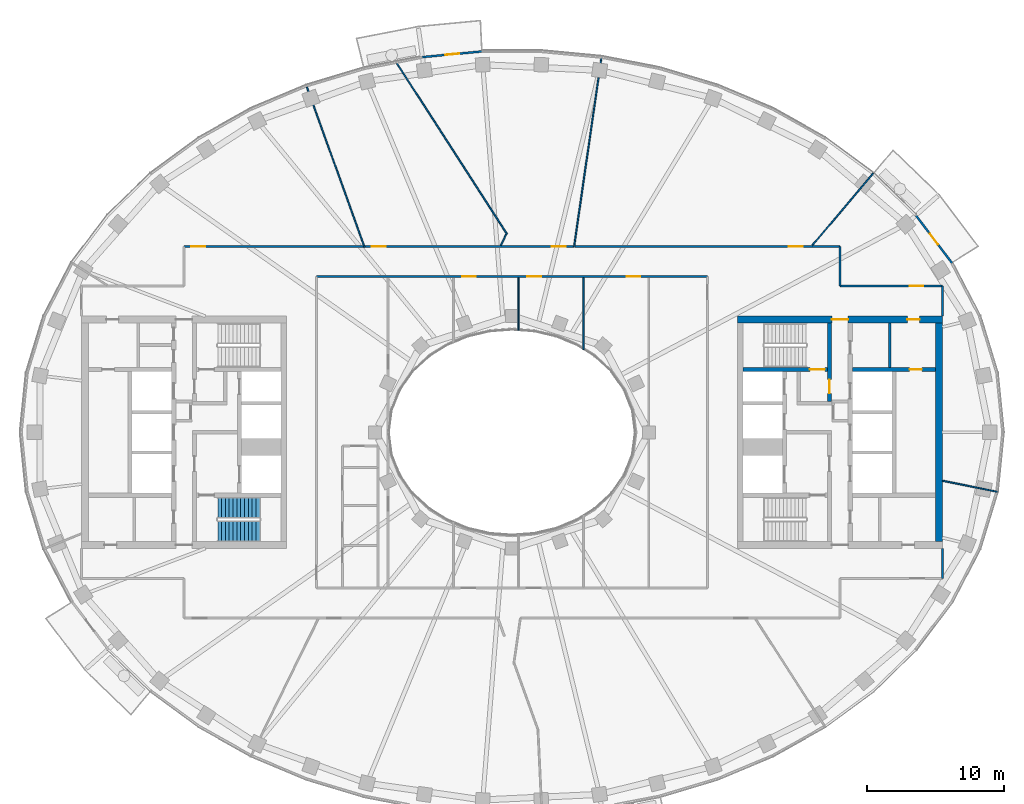
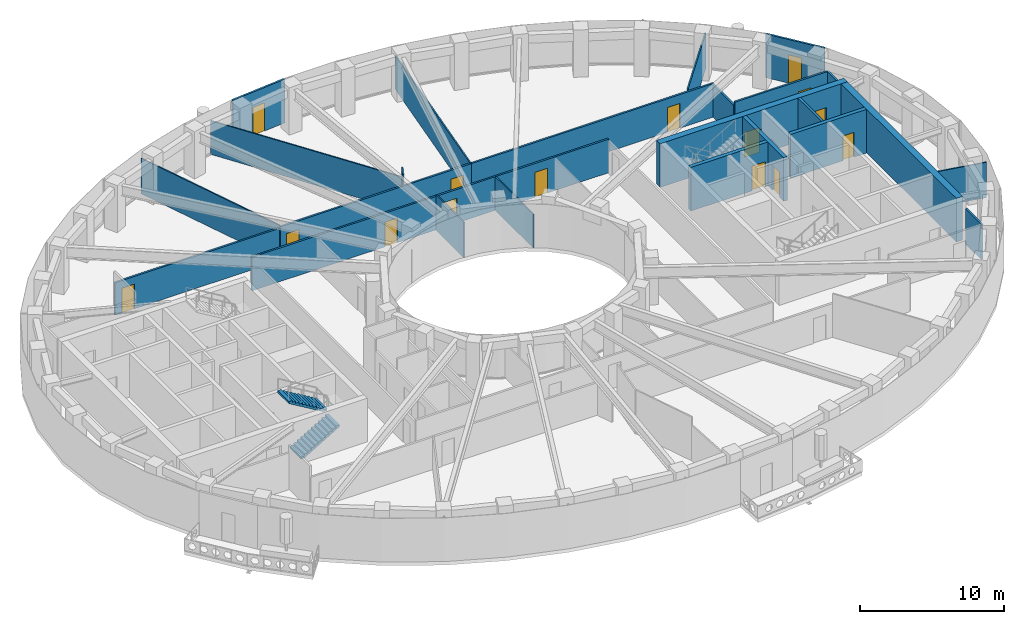
# One storey, part 6 of 16: 24 walls, 15 doors, 2 stair flights, 15 openings, 1 element without a shape of its own.
"""IFC4 building model written with IfcOpenShell, lengths in metres."""

import ifcopenshell
import ifcopenshell.guid

model = None  # the IFC model being written
_history = None  # IfcOwnerHistory: only IFC2X3 demands one
_inside = {}  # id of a spatial element -> (the spatial element, [elements in it])
_under = {}  # id of a project, library or spatial element -> (it, [spatial elements below it])
_declared = {}  # id of a project -> (the project, [libraries it declares])
_typed = {}  # id of a type object -> (the type object, [elements of that type])
_made_of = {}  # id of a material, layer set ... -> (it, [elements and type objects made of it])


def new_model(schema):
    """Start an empty IFC model of exactly this schema.

    Asked for "IFC4X3", IfcOpenShell would pick the latest addendum, in which some entities
    have other attributes; the version numbers below select the first issue.
    IFC2X3 requires an IfcOwnerHistory on every rooted entity: one is made here for all.
    """
    global model, _history
    if schema == "IFC4X3":
        model = ifcopenshell.file(schema_version=(4, 3, 0, 0))
    else:
        model = ifcopenshell.file(schema=schema)
    _inside.clear()
    _under.clear()
    _declared.clear()
    _typed.clear()
    _made_of.clear()
    _history = None
    if model.schema == "IFC2X3":
        org = make("IfcOrganization", Name="unknown")
        user = make(
            "IfcPersonAndOrganization",
            ThePerson=make("IfcPerson", FamilyName="unknown"),
            TheOrganization=org,
        )
        app = make(
            "IfcApplication",
            ApplicationDeveloper=org,
            Version="unknown",
            ApplicationFullName="unknown",
            ApplicationIdentifier="unknown",
        )
        _history = make(
            "IfcOwnerHistory",
            OwningUser=user,
            OwningApplication=app,
            ChangeAction="ADDED",
            CreationDate=0,
        )
    return model


def make(cls, **values):
    """One entity of the class cls with the attributes given. An attribute that is None is left unset."""
    return model.create_entity(
        cls, **{name: value for name, value in values.items() if value is not None}
    )


def rooted(cls, **values):
    """An entity with a GlobalId (a new one), such as an element, a storey or a relation."""
    return make(cls, GlobalId=ifcopenshell.guid.new(), OwnerHistory=_history, **values)


def si_unit(unit_type, name, prefix=None):
    """IfcSIUnit, for example si_unit("LENGTHUNIT", "METRE", prefix="MILLI")."""
    return make("IfcSIUnit", UnitType=unit_type, Prefix=prefix, Name=name)


def assignment(units):
    """IfcUnitAssignment: the units of a project."""
    return None if units is None else make("IfcUnitAssignment", Units=units)


def point(xyz):
    """IfcCartesianPoint."""
    return None if xyz is None else make("IfcCartesianPoint", Coordinates=xyz)


def direction(xyz):
    """IfcDirection."""
    return None if xyz is None else make("IfcDirection", DirectionRatios=xyz)


def frame(location, z_axis=None, x_axis=None):
    """IfcAxis2Placement3D, a coordinate frame: its origin and axes. An axis left out is left unset."""
    return make(
        "IfcAxis2Placement3D",
        Location=point(location),
        Axis=direction(z_axis),
        RefDirection=direction(x_axis),
    )


def frame_2d(location, x_axis=None):
    """IfcAxis2Placement2D, a coordinate frame in the plane: its origin and x axis."""
    return make(
        "IfcAxis2Placement2D", Location=point(location), RefDirection=direction(x_axis)
    )


def origin():
    """The frame at (0, 0, 0) with its axes left unset."""
    return frame((0.0, 0.0, 0.0))


def place(relative_to, where):
    """IfcLocalPlacement: puts the frame where relative to a parent placement (None: the world)."""
    return make(
        "IfcLocalPlacement", PlacementRelTo=relative_to, RelativePlacement=where
    )


def context(
    kind, dimensions, precision=None, world=None, true_north=None, identifier=None
):
    """IfcGeometricRepresentationContext, for example the 3D "Model" context."""
    return make(
        "IfcGeometricRepresentationContext",
        ContextIdentifier=identifier,
        ContextType=kind,
        CoordinateSpaceDimension=dimensions,
        Precision=precision,
        WorldCoordinateSystem=world,
        TrueNorth=true_north,
    )


def subcontext(parent, identifier, kind, view, scale=None):
    """IfcGeometricRepresentationSubContext, for example "Body" below "Model"."""
    return make(
        "IfcGeometricRepresentationSubContext",
        ContextIdentifier=identifier,
        ContextType=kind,
        ParentContext=parent,
        TargetScale=scale,
        TargetView=view,
    )


def project(units=None, contexts=None):
    """IfcProject with its units and contexts."""
    return rooted(
        "IfcProject",
        Name="project",
        RepresentationContexts=contexts,
        UnitsInContext=assignment(units),
    )


def spatial(cls, under=None, at=None, **own):
    """A site, building, storey or space (cls), placed at a placement, below another one or the project."""
    s = rooted(cls, ObjectPlacement=at, **own)
    if under is not None:
        _under.setdefault(under.id(), (under, []))[1].append(s)
    return s


def polyline(points):
    """IfcPolyline through the points."""
    return make("IfcPolyline", Points=[point(p) for p in points])


def profile(cls, at=None, kind="AREA", **sizes):
    """A parametric profile (cls). Its sizes go by their IFC names, for example OverallWidth=200.0."""
    return make(cls, ProfileType=kind, Position=at, **sizes)


def rectangle(**sizes):
    """IfcRectangleProfileDef."""
    return profile("IfcRectangleProfileDef", **sizes)


def outline(outer, holes=None, kind="AREA"):
    """IfcArbitraryClosedProfileDef: a profile drawn as a closed curve; with holes, ...WithVoids."""
    if holes is None:
        return make("IfcArbitraryClosedProfileDef", ProfileType=kind, OuterCurve=outer)
    return make(
        "IfcArbitraryProfileDefWithVoids",
        ProfileType=kind,
        OuterCurve=outer,
        InnerCurves=holes,
    )


def extrude(swept, where, along, depth):
    """IfcExtrudedAreaSolid: the profile swept, set in the frame where, extruded along a direction by depth."""
    return make(
        "IfcExtrudedAreaSolid",
        SweptArea=swept,
        Position=where,
        ExtrudedDirection=direction(along),
        Depth=depth,
    )


def shape(context_of_items, identifier, shape_type, items):
    """IfcShapeRepresentation: the items that make up one representation, for example the "Body"."""
    return make(
        "IfcShapeRepresentation",
        ContextOfItems=context_of_items,
        RepresentationIdentifier=identifier,
        RepresentationType=shape_type,
        Items=items,
    )


def material(Name=None, Category=None):
    """IfcMaterial."""
    return make("IfcMaterial", Name=Name, Category=Category)


def layer(
    of_material, thickness, ventilated=None, Name=None, Category=None, Priority=None
):
    """IfcMaterialLayer: one layer of a wall or slab, of a material (None: an air gap)."""
    return make(
        "IfcMaterialLayer",
        Material=of_material,
        LayerThickness=thickness,
        IsVentilated=ventilated,
        Name=Name,
        Category=Category,
        Priority=Priority,
    )


def layer_set(layers, Name=None):
    """IfcMaterialLayerSet."""
    return make("IfcMaterialLayerSet", MaterialLayers=layers, LayerSetName=Name)


def made_of(thing, what):
    """Note that an element or type object is made of a material, layer set ...; save() writes the relation."""
    if what is not None:
        _made_of.setdefault(what.id(), (what, []))[1].append(thing)
    return thing


def type_object(cls, material=None, **own):
    """A type object (cls), such as IfcWallType, which elements share."""
    return made_of(rooted(cls, **own), material)


def element(
    cls,
    number,
    at=None,
    inside=None,
    cuts=None,
    type_object=None,
    material=None,
    context=None,
    identifier="Body",
    shape_type=None,
    held_by="IfcProductDefinitionShape",
    body=None,
    shapes=None,
    **own,
):
    """One element of the class cls, such as IfcWall. Its Tag is "e" and its number.

    at: its placement. inside: the storey or other place that contains it. cuts: it is an
    opening in that element (IfcRelVoidsElement). A single representation is given by context,
    identifier, shape_type and body (its items); several are given by shapes. held_by: the class
    of the entity that holds the representations. save() writes the other relations.
    """
    e = rooted(cls, Tag="e%d" % number, ObjectPlacement=at, **own)
    if body is not None:
        shapes = [shape(context, identifier, shape_type, body)]
    if shapes is not None:
        e.Representation = make(held_by, Representations=shapes)
    if inside is not None:
        _inside.setdefault(inside.id(), (inside, []))[1].append(e)
    if cuts is not None:
        rooted(
            "IfcRelVoidsElement", RelatingBuildingElement=cuts, RelatedOpeningElement=e
        )
    if type_object is not None:
        _typed.setdefault(type_object.id(), (type_object, []))[1].append(e)
    return made_of(e, material)


def fill(opening, filler):
    """IfcRelFillsElement: the door or window that sits in an opening."""
    return rooted(
        "IfcRelFillsElement",
        RelatingOpeningElement=opening,
        RelatedBuildingElement=filler,
    )


def aggregate(whole, parts):
    """IfcRelAggregates: a whole, such as a stair, and the parts it consists of."""
    return rooted("IfcRelAggregates", RelatingObject=whole, RelatedObjects=parts)


def save(model, path):
    """Write the relations noted so far, then the file.

    IfcRelAggregates (storeys below a building ...), IfcRelContainedInSpatialStructure (elements
    in a storey), IfcRelDefinesByType, IfcRelAssociatesMaterial and IfcRelDeclares: one each for
    every whole, place, type object, material and project.
    """
    for whole, parts in _under.values():
        aggregate(whole, parts)
    for where, things in _inside.values():
        rooted(
            "IfcRelContainedInSpatialStructure",
            RelatedElements=things,
            RelatingStructure=where,
        )
    for kind, things in _typed.values():
        rooted("IfcRelDefinesByType", RelatedObjects=things, RelatingType=kind)
    for what, things in _made_of.values():
        rooted("IfcRelAssociatesMaterial", RelatedObjects=things, RelatingMaterial=what)
    for by, libraries in _declared.values():
        rooted("IfcRelDeclares", RelatingContext=by, RelatedDefinitions=libraries)
    model.write(path)


model = new_model("IFC4")

# Units and contexts
model_context = context("Model", 3, precision=1e-05, world=origin(), true_north=direction((0.0, 1.0)))
body_context = subcontext(model_context, "Body", "Model", "MODEL_VIEW")
ifc_project = project(units=[si_unit("LENGTHUNIT", "METRE"), si_unit("AREAUNIT", "SQUARE_METRE"), si_unit("VOLUMEUNIT", "CUBIC_METRE"), si_unit("PLANEANGLEUNIT", "RADIAN"), si_unit("MASSUNIT", "GRAM", prefix="KILO")], contexts=[model_context])

# Site, building, storey
site_placement = place(None, origin())
site = spatial("IfcSite", under=ifc_project, at=site_placement, CompositionType="ELEMENT")
building_placement = place(site_placement, origin())
building = spatial("IfcBuilding", under=site, at=building_placement, Name="Noorbagh Ring Tower", CompositionType="ELEMENT")
storey_placement = place(building_placement, frame((0.0, 0.0, 281.5)))
storey = spatial("IfcBuildingStorey", under=building, at=storey_placement, Name="L60", CompositionType="ELEMENT", Elevation=281.5)

# Wall
ifc_material_1 = material(Name="Gypsum board on steel studs", Category="steel")
ifc_layer_1 = layer(ifc_material_1, 0.199951171875)
ifc_layer_set_1 = layer_set([ifc_layer_1], Name="Gypsum board on steel studs")
wall_type_1 = type_object("IfcWallType", Name="CORE-PARTITION-200", PredefinedType="PARTITIONING", material=ifc_layer_set_1)
wall_1_placement = place(storey_placement, frame((27.64990234375, 4.75, 0.0), z_axis=(0.0, 0.0, 1.0), x_axis=(0.0, 1.0, 0.0)))
element("IfcWall", 1, at=wall_1_placement, inside=storey, type_object=wall_type_1, Name="Core partition E", PredefinedType="PARTITIONING", context=body_context, shape_type="SweptSolid", body=[
    extrude(rectangle(XDim=3.25, YDim=0.199951171875, at=frame_2d((1.625, 0.0))), origin(), (0.0, 0.0, 1.0), 3.699951171875),
])

# Wall, opening, door
ifc_material_2 = material(Name="Concrete C60/75", Category="concrete")
ifc_layer_2 = layer(ifc_material_2, 0.300048828125)
ifc_layer_set_2 = layer_set([ifc_layer_2], Name="Concrete C60/75")
wall_type_2 = type_object("IfcWallType", Name="CORE-WALL-300-C60-75-EI240", PredefinedType="SHEAR", material=ifc_layer_set_2)
wall_2_placement = place(storey_placement, frame((24.89990234375, 4.60009765625, 0.0), z_axis=(0.0, 0.0, 1.0), x_axis=(1.0, 0.0, 0.0)))
wall_2 = element("IfcWall", 2, at=wall_2_placement, inside=storey, type_object=wall_type_2, Name="Core wall E", PredefinedType="SHEAR", context=body_context, shape_type="SweptSolid", body=[
    extrude(rectangle(XDim=6.10009765625, YDim=0.300048828125, at=frame_2d((3.050048828125, 0.0))), origin(), (0.0, 0.0, 1.0), 3.699951171875),
])
opening_1_placement = place(wall_2_placement, frame((4.199951171875, 0.0, 0.0)))
opening_1 = element("IfcOpeningElement", 3, at=opening_1_placement, cuts=wall_2, Name="Opening L60-CE18", PredefinedType="OPENING", context=body_context, shape_type="SweptSolid", body=[
    extrude(rectangle(XDim=0.89990234375, YDim=2.10009765625, at=frame_2d((0.449951171875, 1.050048828125))), frame((0.0, 0.16015625, 0.0), z_axis=(0.0, -1.0, 0.0), x_axis=(1.0, 0.0, 0.0)), (0.0, 0.0, 1.0), 0.320068359375),
])
ifc_material_3 = material(Name="Steel door leaf", Category="steel")
door_type_1 = type_object("IfcDoorType", Name="CORE-DOOR-DROOM", OperationType="SINGLE_SWING_LEFT", PredefinedType="DOOR", material=ifc_material_3)
door_1_placement = place(opening_1_placement, origin())
door_1 = element("IfcDoor", 4, at=door_1_placement, inside=storey, type_object=door_type_1, Name="Core room door L60-CE18", OperationType="SINGLE_SWING_RIGHT", OverallHeight=2.10009765625, OverallWidth=0.89990234375, PredefinedType="DOOR", context=body_context, shape_type="SweptSolid", body=[
    extrude(rectangle(XDim=0.89990234375, YDim=2.10009765625, at=frame_2d((0.449951171875, 1.050048828125))), frame((0.0, 0.02490234375, 0.0), z_axis=(0.0, -1.0, 0.0), x_axis=(1.0, 0.0, 0.0)), (0.0, 0.0, 1.0), 0.050048828125),
])
fill(opening_1, door_1)

wall_3_placement = place(storey_placement, frame((23.22998046875, 2.25, 0.0), z_axis=(0.0, 0.0, 1.0), x_axis=(0.0, 1.0, 0.0)))
wall_3 = element("IfcWall", 5, at=wall_3_placement, inside=storey, type_object=wall_type_2, Name="Core wall E", PredefinedType="SHEAR", context=body_context, shape_type="SweptSolid", body=[
    extrude(rectangle(XDim=5.75, YDim=0.300048828125, at=frame_2d((2.875, 0.0))), origin(), (0.0, 0.0, 1.0), 3.699951171875),
])
opening_2_placement = place(wall_3_placement, frame((0.60009765625, 0.0, 0.0)))
opening_2 = element("IfcOpeningElement", 6, at=opening_2_placement, cuts=wall_3, Name="Opening L60-CE10", PredefinedType="OPENING", context=body_context, shape_type="SweptSolid", body=[
    extrude(rectangle(XDim=1.0, YDim=2.10009765625, at=frame_2d((0.5, 1.050048828125))), frame((0.0, 0.16015625, 0.0), z_axis=(0.0, -1.0, 0.0), x_axis=(1.0, 0.0, 0.0)), (0.0, 0.0, 1.0), 0.320068359375),
])
ifc_material_4 = material(Name="Steel door leaf", Category="steel")
door_type_2 = type_object("IfcDoorType", Name="CORE-DOOR-DVEST", OperationType="SINGLE_SWING_LEFT", PredefinedType="DOOR", material=ifc_material_4)
door_2_placement = place(opening_2_placement, origin())
door_2 = element("IfcDoor", 7, at=door_2_placement, inside=storey, type_object=door_type_2, Name="Stair vestibule door L60-CE10", OperationType="SINGLE_SWING_RIGHT", OverallHeight=2.10009765625, OverallWidth=1.0, PredefinedType="DOOR", context=body_context, shape_type="SweptSolid", body=[
    extrude(rectangle(XDim=1.0, YDim=2.10009765625, at=frame_2d((0.5, 1.050048828125))), frame((0.0, 0.02490234375, 0.0), z_axis=(0.0, -1.0, 0.0), x_axis=(1.0, 0.0, 0.0)), (0.0, 0.0, 1.0), 0.050048828125),
])
fill(opening_2, door_2)

wall_4_placement = place(storey_placement, frame((16.89990234375, 4.60009765625, 0.0), z_axis=(0.0, 0.0, 1.0), x_axis=(1.0, 0.0, 0.0)))
wall_4 = element("IfcWall", 8, at=wall_4_placement, inside=storey, type_object=wall_type_2, Name="Core wall E", PredefinedType="SHEAR", context=body_context, shape_type="SweptSolid", body=[
    extrude(rectangle(XDim=6.18017578125, YDim=0.300048828125, at=frame_2d((3.090087890625, 0.0))), origin(), (0.0, 0.0, 1.0), 3.699951171875),
])
opening_3_placement = place(wall_4_placement, frame((4.89990234375, 0.0, 0.0)))
opening_3 = element("IfcOpeningElement", 9, at=opening_3_placement, cuts=wall_4, Name="Opening L60-CE07", PredefinedType="OPENING", context=body_context, shape_type="SweptSolid", body=[
    extrude(rectangle(XDim=1.10009765625, YDim=2.10009765625, at=frame_2d((0.550048828125, 1.050048828125))), frame((0.0, 0.16015625, 0.0), z_axis=(0.0, -1.0, 0.0), x_axis=(1.0, 0.0, 0.0)), (0.0, 0.0, 1.0), 0.320068359375),
])
ifc_material_5 = material(Name="Steel door leaf", Category="steel")
door_type_3 = type_object("IfcDoorType", Name="CORE-DOOR-DSTAIR", OperationType="SINGLE_SWING_LEFT", PredefinedType="DOOR", material=ifc_material_5)
door_3_placement = place(opening_3_placement, origin())
door_3 = element("IfcDoor", 10, at=door_3_placement, inside=storey, type_object=door_type_3, Name="Stair door ST3 L60-CE07", OperationType="SINGLE_SWING_LEFT", OverallHeight=2.10009765625, OverallWidth=1.10009765625, PredefinedType="DOOR", context=body_context, shape_type="SweptSolid", body=[
    extrude(rectangle(XDim=1.10009765625, YDim=2.10009765625, at=frame_2d((0.550048828125, 1.050048828125))), frame((0.0, 0.02490234375, 0.0), z_axis=(0.0, -1.0, 0.0), x_axis=(1.0, 0.0, 0.0)), (0.0, 0.0, 1.0), 0.050048828125),
])
fill(opening_3, door_3)

# Wall, openings, doors
ifc_material_6 = material(Name="Concrete C60/75", Category="concrete")
ifc_layer_3 = layer(ifc_material_6, 0.5)
ifc_layer_set_3 = layer_set([ifc_layer_3], Name="Concrete C60/75")
wall_type_3 = type_object("IfcWallType", Name="CORE-WALL-500-C60-75-EI240", PredefinedType="SHEAR", material=ifc_layer_set_3)
wall_5_placement = place(storey_placement, frame((16.5, 8.25, 0.0), z_axis=(0.0, 0.0, 1.0), x_axis=(1.0, 0.0, 0.0)))
wall_5 = element("IfcWall", 11, at=wall_5_placement, inside=storey, type_object=wall_type_3, Name="Core wall E", PredefinedType="SHEAR", context=body_context, shape_type="SweptSolid", body=[
    extrude(rectangle(XDim=15.0, YDim=0.5, at=frame_2d((7.5, 0.0))), origin(), (0.0, 0.0, 1.0), 3.699951171875),
])
opening_4_placement = place(wall_5_placement, frame((6.89990234375, 0.0, 0.0)))
opening_4 = element("IfcOpeningElement", 12, at=opening_4_placement, cuts=wall_5, Name="Opening L60-CE11", PredefinedType="OPENING", context=body_context, shape_type="SweptSolid", body=[
    extrude(rectangle(XDim=1.199951171875, YDim=2.10009765625, at=frame_2d((0.60009765625, 1.050048828125))), frame((0.0, 0.260009765625, 0.0), z_axis=(0.0, -1.0, 0.0), x_axis=(1.0, 0.0, 0.0)), (0.0, 0.0, 1.0), 0.52001953125),
])
opening_5_placement = place(wall_5_placement, frame((12.425048828125, 0.0, 0.0)))
opening_5 = element("IfcOpeningElement", 13, at=opening_5_placement, cuts=wall_5, Name="Opening L60-CE14", PredefinedType="OPENING", context=body_context, shape_type="SweptSolid", body=[
    extrude(rectangle(XDim=0.89990234375, YDim=2.10009765625, at=frame_2d((0.449951171875, 1.050048828125))), frame((0.0, 0.260009765625, 0.0), z_axis=(0.0, -1.0, 0.0), x_axis=(1.0, 0.0, 0.0)), (0.0, 0.0, 1.0), 0.52001953125),
])
door_4_placement = place(opening_5_placement, origin())
door_4 = element("IfcDoor", 14, at=door_4_placement, inside=storey, type_object=door_type_1, Name="Core room door L60-CE14", OperationType="SINGLE_SWING_LEFT", OverallHeight=2.10009765625, OverallWidth=0.89990234375, PredefinedType="DOOR", context=body_context, shape_type="SweptSolid", body=[
    extrude(rectangle(XDim=0.89990234375, YDim=2.10009765625, at=frame_2d((0.449951171875, 1.050048828125))), frame((0.0, 0.02490234375, 0.0), z_axis=(0.0, -1.0, 0.0), x_axis=(1.0, 0.0, 0.0)), (0.0, 0.0, 1.0), 0.050048828125),
])
fill(opening_5, door_4)
ifc_material_7 = material(Name="Steel door leaf", Category="steel")
door_type_4 = type_object("IfcDoorType", Name="CORE-DOOR-PORT", OperationType="DOUBLE_DOOR_DOUBLE_SWING", PredefinedType="DOOR", material=ifc_material_7)
door_5_placement = place(opening_4_placement, origin())
door_5 = element("IfcDoor", 15, at=door_5_placement, inside=storey, type_object=door_type_4, Name="Core entrance door L60-CE11", OperationType="DOUBLE_DOOR_DOUBLE_SWING", OverallHeight=2.10009765625, OverallWidth=1.199951171875, PredefinedType="DOOR", context=body_context, shape_type="SweptSolid", body=[
    extrude(rectangle(XDim=1.199951171875, YDim=2.10009765625, at=frame_2d((0.60009765625, 1.050048828125))), frame((0.0, 0.02490234375, 0.0), z_axis=(0.0, -1.0, 0.0), x_axis=(1.0, 0.0, 0.0)), (0.0, 0.0, 1.0), 0.050048828125),
])
fill(opening_4, door_5)

# Wall
wall_6_placement = place(storey_placement, frame((31.25, -8.0, 0.0), z_axis=(0.0, 0.0, 1.0), x_axis=(0.0, 1.0, 0.0)))
element("IfcWall", 16, at=wall_6_placement, inside=storey, type_object=wall_type_3, Name="Core wall E", PredefinedType="SHEAR", context=body_context, shape_type="SweptSolid", body=[
    extrude(rectangle(XDim=16.0, YDim=0.5, at=frame_2d((8.0, 0.0))), origin(), (0.0, 0.0, 1.0), 3.699951171875),
])

# Wall, opening, door
ifc_material_8 = material(Name="Gypsum board on steel studs", Category="steel")
ifc_layer_4 = layer(ifc_material_8, 0.14990234375)
ifc_layer_set_4 = layer_set([ifc_layer_4], Name="Gypsum board on steel studs")
wall_type_4 = type_object("IfcWallType", Name="CORRIDOR PARTITION 150 EI 30", PredefinedType="PARTITIONING", material=ifc_layer_set_4)
wall_7_placement = place(storey_placement, frame((-24.0, 13.60009765625, 0.0), z_axis=(0.0, 0.0, 1.0), x_axis=(1.0, 0.0, 0.0)))
wall_7 = element("IfcWall", 17, at=wall_7_placement, inside=storey, type_object=wall_type_4, Name="L60/wall/P10", PredefinedType="PARTITIONING", context=body_context, shape_type="SweptSolid", body=[
    extrude(rectangle(XDim=13.177001953125, YDim=0.14990234375, at=frame_2d((6.58837890625, 0.0))), origin(), (0.0, 0.0, 1.0), 2.75),
])
opening_6_placement = place(wall_7_placement, frame((0.5390625, 0.0, 0.0)))
opening_6 = element("IfcOpeningElement", 18, at=opening_6_placement, cuts=wall_7, Name="Opening D1", PredefinedType="OPENING", context=body_context, shape_type="SweptSolid", body=[
    extrude(rectangle(XDim=1.0, YDim=2.10009765625, at=frame_2d((0.5, 1.050048828125))), frame((0.0, 0.0849609375, 0.0), z_axis=(0.0, -1.0, 0.0), x_axis=(1.0, 0.0, 0.0)), (0.0, 0.0, 1.0), 0.169921875),
])
ifc_material_9 = material(Name="Timber, painted", Category="wood")
door_type_5 = type_object("IfcDoorType", Name="DOOR 1000 X 2100 FD30", OperationType="SINGLE_SWING_LEFT", PredefinedType="DOOR", material=ifc_material_9)
door_6_placement = place(opening_6_placement, origin())
door_6 = element("IfcDoor", 19, at=door_6_placement, inside=storey, type_object=door_type_5, Name="L60-D08", OperationType="SINGLE_SWING_RIGHT", OverallHeight=2.10009765625, OverallWidth=1.0, PredefinedType="DOOR", context=body_context, shape_type="SweptSolid", body=[
    extrude(rectangle(XDim=1.0, YDim=2.10009765625, at=frame_2d((0.5, 1.050048828125))), frame((0.0, 0.02490234375, 0.0), z_axis=(0.0, -1.0, 0.0), x_axis=(1.0, 0.0, 0.0)), (0.0, 0.0, 1.0), 0.050048828125),
])
fill(opening_6, door_6)

# Wall, openings, doors
wall_8_placement = place(storey_placement, frame((-14.300048828125, 11.39990234375, 0.0), z_axis=(0.0, 0.0, 1.0), x_axis=(1.0, 0.0, 0.0)))
wall_8 = element("IfcWall", 20, at=wall_8_placement, inside=storey, type_object=wall_type_4, Name="L60/wall/P15", PredefinedType="PARTITIONING", context=body_context, shape_type="SweptSolid", body=[
    extrude(rectangle(XDim=28.60009765625, YDim=0.14990234375, at=frame_2d((14.300048828125, 0.0))), origin(), (0.0, 0.0, 1.0), 2.85009765625),
])
opening_7_placement = place(wall_8_placement, frame((10.659912109375, 0.0, 0.0)))
opening_7 = element("IfcOpeningElement", 21, at=opening_7_placement, cuts=wall_8, Name="Opening D1", PredefinedType="OPENING", context=body_context, shape_type="SweptSolid", body=[
    extrude(rectangle(XDim=1.0, YDim=2.10009765625, at=frame_2d((0.5, 1.050048828125))), frame((0.0, 0.0849609375, 0.0), z_axis=(0.0, -1.0, 0.0), x_axis=(1.0, 0.0, 0.0)), (0.0, 0.0, 1.0), 0.169921875),
])
opening_8_placement = place(wall_8_placement, frame((15.427001953125, 0.0, 0.0)))
opening_8 = element("IfcOpeningElement", 22, at=opening_8_placement, cuts=wall_8, Name="Opening D1", PredefinedType="OPENING", context=body_context, shape_type="SweptSolid", body=[
    extrude(rectangle(XDim=1.0, YDim=2.10009765625, at=frame_2d((0.5, 1.050048828125))), frame((0.0, 0.0849609375, 0.0), z_axis=(0.0, -1.0, 0.0), x_axis=(1.0, 0.0, 0.0)), (0.0, 0.0, 1.0), 0.169921875),
])
opening_9_placement = place(wall_8_placement, frame((22.693115234375, 0.0, 0.0)))
opening_9 = element("IfcOpeningElement", 23, at=opening_9_placement, cuts=wall_8, Name="Opening D1", PredefinedType="OPENING", context=body_context, shape_type="SweptSolid", body=[
    extrude(rectangle(XDim=1.0, YDim=2.10009765625, at=frame_2d((0.5, 1.050048828125))), frame((0.0, 0.0849609375, 0.0), z_axis=(0.0, -1.0, 0.0), x_axis=(1.0, 0.0, 0.0)), (0.0, 0.0, 1.0), 0.169921875),
])
door_7_placement = place(opening_7_placement, origin())
door_7 = element("IfcDoor", 24, at=door_7_placement, inside=storey, type_object=door_type_5, Name="L60-D19", OperationType="SINGLE_SWING_LEFT", OverallHeight=2.10009765625, OverallWidth=1.0, PredefinedType="DOOR", context=body_context, shape_type="SweptSolid", body=[
    extrude(rectangle(XDim=1.0, YDim=2.10009765625, at=frame_2d((0.5, 1.050048828125))), frame((0.0, 0.02490234375, 0.0), z_axis=(0.0, -1.0, 0.0), x_axis=(1.0, 0.0, 0.0)), (0.0, 0.0, 1.0), 0.050048828125),
])
fill(opening_7, door_7)
door_8_placement = place(opening_8_placement, origin())
door_8 = element("IfcDoor", 25, at=door_8_placement, inside=storey, type_object=door_type_5, Name="L60-D21", OperationType="SINGLE_SWING_LEFT", OverallHeight=2.10009765625, OverallWidth=1.0, PredefinedType="DOOR", context=body_context, shape_type="SweptSolid", body=[
    extrude(rectangle(XDim=1.0, YDim=2.10009765625, at=frame_2d((0.5, 1.050048828125))), frame((0.0, 0.02490234375, 0.0), z_axis=(0.0, -1.0, 0.0), x_axis=(1.0, 0.0, 0.0)), (0.0, 0.0, 1.0), 0.050048828125),
])
fill(opening_8, door_8)
door_9_placement = place(opening_9_placement, origin())
door_9 = element("IfcDoor", 26, at=door_9_placement, inside=storey, type_object=door_type_5, Name="L60-D22", OperationType="SINGLE_SWING_RIGHT", OverallHeight=2.10009765625, OverallWidth=1.0, PredefinedType="DOOR", context=body_context, shape_type="SweptSolid", body=[
    extrude(rectangle(XDim=1.0, YDim=2.10009765625, at=frame_2d((0.5, 1.050048828125))), frame((0.0, 0.02490234375, 0.0), z_axis=(0.0, -1.0, 0.0), x_axis=(1.0, 0.0, 0.0)), (0.0, 0.0, 1.0), 0.050048828125),
])
fill(opening_9, door_9)

wall_9_placement = place(storey_placement, frame((-10.758056640625, 13.60009765625, 0.0), z_axis=(0.0, 0.0, 1.0), x_axis=(1.0, 0.0, 0.0)))
wall_9 = element("IfcWall", 27, at=wall_9_placement, inside=storey, type_object=wall_type_4, Name="L60/wall/P22", PredefinedType="PARTITIONING", context=body_context, shape_type="SweptSolid", body=[
    extrude(rectangle(XDim=15.303955078125, YDim=0.14990234375, at=frame_2d((7.65185546875, 0.0))), origin(), (0.0, 0.0, 1.0), 2.85009765625),
])
opening_10_placement = place(wall_9_placement, frame((0.510986328125, 0.0, 0.0)))
opening_10 = element("IfcOpeningElement", 28, at=opening_10_placement, cuts=wall_9, Name="Opening D1", PredefinedType="OPENING", context=body_context, shape_type="SweptSolid", body=[
    extrude(rectangle(XDim=1.0, YDim=2.10009765625, at=frame_2d((0.5, 1.050048828125))), frame((0.0, 0.0849609375, 0.0), z_axis=(0.0, -1.0, 0.0), x_axis=(1.0, 0.0, 0.0)), (0.0, 0.0, 1.0), 0.169921875),
])
opening_11_placement = place(wall_9_placement, frame((13.674072265625, 0.0, 0.0)))
opening_11 = element("IfcOpeningElement", 29, at=opening_11_placement, cuts=wall_9, Name="Opening D1", PredefinedType="OPENING", context=body_context, shape_type="SweptSolid", body=[
    extrude(rectangle(XDim=1.0, YDim=2.10009765625, at=frame_2d((0.5, 1.050048828125))), frame((0.0, 0.0849609375, 0.0), z_axis=(0.0, -1.0, 0.0), x_axis=(1.0, 0.0, 0.0)), (0.0, 0.0, 1.0), 0.169921875),
])
door_10_placement = place(opening_10_placement, origin())
door_10 = element("IfcDoor", 30, at=door_10_placement, inside=storey, type_object=door_type_5, Name="L60-D10", OperationType="SINGLE_SWING_RIGHT", OverallHeight=2.10009765625, OverallWidth=1.0, PredefinedType="DOOR", context=body_context, shape_type="SweptSolid", body=[
    extrude(rectangle(XDim=1.0, YDim=2.10009765625, at=frame_2d((0.5, 1.050048828125))), frame((0.0, 0.02490234375, 0.0), z_axis=(0.0, -1.0, 0.0), x_axis=(1.0, 0.0, 0.0)), (0.0, 0.0, 1.0), 0.050048828125),
])
fill(opening_10, door_10)
door_11_placement = place(opening_11_placement, origin())
door_11 = element("IfcDoor", 31, at=door_11_placement, inside=storey, type_object=door_type_5, Name="L60-D11", OperationType="SINGLE_SWING_LEFT", OverallHeight=2.10009765625, OverallWidth=1.0, PredefinedType="DOOR", context=body_context, shape_type="SweptSolid", body=[
    extrude(rectangle(XDim=1.0, YDim=2.10009765625, at=frame_2d((0.5, 1.050048828125))), frame((0.0, 0.02490234375, 0.0), z_axis=(0.0, -1.0, 0.0), x_axis=(1.0, 0.0, 0.0)), (0.0, 0.0, 1.0), 0.050048828125),
])
fill(opening_11, door_11)

# Wall, opening, door
wall_10_placement = place(storey_placement, frame((4.56591796875, 13.60009765625, 0.0), z_axis=(0.0, 0.0, 1.0), x_axis=(1.0, 0.0, 0.0)))
wall_10 = element("IfcWall", 32, at=wall_10_placement, inside=storey, type_object=wall_type_4, Name="L60/wall/P39", PredefinedType="PARTITIONING", context=body_context, shape_type="SweptSolid", body=[
    extrude(rectangle(XDim=19.43408203125, YDim=0.14990234375, at=frame_2d((9.717041015625, 0.0))), origin(), (0.0, 0.0, 1.0), 2.85009765625),
])
opening_12_placement = place(wall_10_placement, frame((15.69189453125, 0.0, 0.0)))
opening_12 = element("IfcOpeningElement", 33, at=opening_12_placement, cuts=wall_10, Name="Opening D1", PredefinedType="OPENING", context=body_context, shape_type="SweptSolid", body=[
    extrude(rectangle(XDim=1.0, YDim=2.10009765625, at=frame_2d((0.5, 1.050048828125))), frame((0.0, 0.0849609375, 0.0), z_axis=(0.0, -1.0, 0.0), x_axis=(1.0, 0.0, 0.0)), (0.0, 0.0, 1.0), 0.169921875),
])
door_12_placement = place(opening_12_placement, origin())
door_12 = element("IfcDoor", 34, at=door_12_placement, inside=storey, type_object=door_type_5, Name="L60-D13", OperationType="SINGLE_SWING_LEFT", OverallHeight=2.10009765625, OverallWidth=1.0, PredefinedType="DOOR", context=body_context, shape_type="SweptSolid", body=[
    extrude(rectangle(XDim=1.0, YDim=2.10009765625, at=frame_2d((0.5, 1.050048828125))), frame((0.0, 0.02490234375, 0.0), z_axis=(0.0, -1.0, 0.0), x_axis=(1.0, 0.0, 0.0)), (0.0, 0.0, 1.0), 0.050048828125),
])
fill(opening_12, door_12)

# Wall
wall_11_placement = place(storey_placement, frame((24.0, 10.699951171875, 0.0), z_axis=(0.0, 0.0, 1.0), x_axis=(0.0, 1.0, 0.0)))
element("IfcWall", 35, at=wall_11_placement, inside=storey, type_object=wall_type_4, Name="L60/wall/P48", PredefinedType="PARTITIONING", context=body_context, shape_type="SweptSolid", body=[
    extrude(rectangle(XDim=2.900146484375, YDim=0.14990234375, at=frame_2d((1.4501953125, 0.0))), origin(), (0.0, 0.0, 1.0), 2.75),
])

# Wall, opening, door
wall_12_placement = place(storey_placement, frame((24.0, 10.699951171875, 0.0), z_axis=(0.0, 0.0, 1.0), x_axis=(1.0, 0.0, 0.0)))
wall_12 = element("IfcWall", 36, at=wall_12_placement, inside=storey, type_object=wall_type_4, Name="L60/wall/P49", PredefinedType="PARTITIONING", context=body_context, shape_type="SweptSolid", body=[
    extrude(rectangle(XDim=7.5, YDim=0.14990234375, at=frame_2d((3.75, 0.0))), origin(), (0.0, 0.0, 1.0), 3.0),
])
opening_13_placement = place(wall_12_placement, frame((5.10009765625, 0.0, 0.0)))
opening_13 = element("IfcOpeningElement", 37, at=opening_13_placement, cuts=wall_12, Name="Opening D1", PredefinedType="OPENING", context=body_context, shape_type="SweptSolid", body=[
    extrude(rectangle(XDim=1.0, YDim=2.10009765625, at=frame_2d((0.5, 1.050048828125))), frame((0.0, 0.0849609375, 0.0), z_axis=(0.0, -1.0, 0.0), x_axis=(1.0, 0.0, 0.0)), (0.0, 0.0, 1.0), 0.169921875),
])
door_13_placement = place(opening_13_placement, origin())
door_13 = element("IfcDoor", 38, at=door_13_placement, inside=storey, type_object=door_type_5, Name="L60-D15", OperationType="SINGLE_SWING_LEFT", OverallHeight=2.10009765625, OverallWidth=1.0, PredefinedType="DOOR", context=body_context, shape_type="SweptSolid", body=[
    extrude(rectangle(XDim=1.0, YDim=2.10009765625, at=frame_2d((0.5, 1.050048828125))), frame((0.0, 0.02490234375, 0.0), z_axis=(0.0, -1.0, 0.0), x_axis=(1.0, 0.0, 0.0)), (0.0, 0.0, 1.0), 0.050048828125),
])
fill(opening_13, door_13)

# Walls
for number, where, z_axis, x_axis, name in (
    (39, (31.5, -10.699951171875, 0.0), (0.0, 0.0, 1.0), (0.0, 1.0, 0.0), "L60/wall/P50"),
    (40, (31.5, 8.5, 0.0), (0.0, 0.0, 1.0), (0.0, 1.0, 0.0), "L60/wall/P52"),
):
    element("IfcWall", number, at=place(storey_placement, frame(where, z_axis=z_axis, x_axis=x_axis)), inside=storey, type_object=wall_type_4, Name=name, PredefinedType="PARTITIONING", context=body_context, shape_type="SweptSolid", body=[
        extrude(rectangle(XDim=2.199951171875, YDim=0.14990234375, at=frame_2d((1.10009765625, 0.0))), origin(), (0.0, 0.0, 1.0), 3.0),
    ])

# Wall, opening, door
ifc_material_10 = material(Name="Insulated aluminium clad panel", Category="aluminium")
ifc_layer_5 = layer(ifc_material_10, 0.14990234375)
ifc_layer_set_5 = layer_set([ifc_layer_5], Name="Insulated aluminium clad panel")
wall_type_5 = type_object("IfcWallType", Name="ENV-WALL-DOOR", PredefinedType="STANDARD", material=ifc_layer_set_5)
wall_13_placement = place(storey_placement, frame((32.20751953125, 12.37353515625, 0.0), z_axis=(0.0, 0.0, 1.0), x_axis=(-0.604045763106, 0.796949632081, 0.0)))
wall_13 = element("IfcWall", 41, at=wall_13_placement, inside=storey, type_object=wall_type_5, Name="Balcony door wall chord 04", PredefinedType="STANDARD", context=body_context, shape_type="SweptSolid", body=[
    extrude(rectangle(XDim=4.42333984375, YDim=0.14990234375, at=frame_2d((2.211669921875, 0.0))), origin(), (0.0, 0.0, 1.0), 3.699951171875),
])
opening_14_placement = place(wall_13_placement, frame((1.711669921875, 0.0, 0.0)))
opening_14 = element("IfcOpeningElement", 42, at=opening_14_placement, cuts=wall_13, Name="Opening D-BL", PredefinedType="OPENING", context=body_context, shape_type="SweptSolid", body=[
    extrude(rectangle(XDim=1.0, YDim=2.39990234375, at=frame_2d((0.5, 1.199951171875))), frame((0.0, 0.0849609375, 0.0), z_axis=(0.0, -1.0, 0.0), x_axis=(1.0, 0.0, 0.0)), (0.0, 0.0, 1.0), 0.169921875),
])
ifc_material_11 = material(Name="Aluminium and glass", Category="aluminium")
door_type_6 = type_object("IfcDoorType", Name="ENV-DOOR-BALCONY", OperationType="SINGLE_SWING_LEFT", PredefinedType="DOOR", material=ifc_material_11)
door_14_placement = place(opening_14_placement, origin())
door_14 = element("IfcDoor", 43, at=door_14_placement, inside=storey, type_object=door_type_6, Name="Balcony door chord 04", OperationType="SINGLE_SWING_LEFT", OverallHeight=2.39990234375, OverallWidth=1.0, PredefinedType="DOOR", context=body_context, shape_type="SweptSolid", body=[
    extrude(rectangle(XDim=1.0, YDim=2.39990234375, at=frame_2d((0.5, 1.199951171875))), frame((0.0, 0.02490234375, 0.0), z_axis=(0.0, -1.0, 0.0), x_axis=(1.0, 0.0, 0.0)), (0.0, 0.0, 1.0), 0.050048828125),
])
fill(opening_14, door_14)

wall_14_placement = place(storey_placement, frame((-2.166259765625, 27.875244140625, 0.0), z_axis=(0.0, 0.0, 1.0), x_axis=(-0.995473879823, -0.095035543824, 0.0)))
wall_14 = element("IfcWall", 44, at=wall_14_placement, inside=storey, type_object=wall_type_5, Name="Balcony door wall chord 13", PredefinedType="STANDARD", context=body_context, shape_type="SweptSolid", body=[
    extrude(rectangle(XDim=4.42626953125, YDim=0.14990234375, at=frame_2d((2.213134765625, 0.0))), origin(), (0.0, 0.0, 1.0), 3.699951171875),
])
opening_15_placement = place(wall_14_placement, frame((1.713134765625, 0.0, 0.0)))
opening_15 = element("IfcOpeningElement", 45, at=opening_15_placement, cuts=wall_14, Name="Opening D-BL", PredefinedType="OPENING", context=body_context, shape_type="SweptSolid", body=[
    extrude(rectangle(XDim=1.0, YDim=2.39990234375, at=frame_2d((0.5, 1.199951171875))), frame((0.0, 0.0849609375, 0.0), z_axis=(0.0, -1.0, 0.0), x_axis=(1.0, 0.0, 0.0)), (0.0, 0.0, 1.0), 0.169921875),
])
door_15_placement = place(opening_15_placement, origin())
door_15 = element("IfcDoor", 46, at=door_15_placement, inside=storey, type_object=door_type_6, Name="Balcony door chord 13", OperationType="SINGLE_SWING_LEFT", OverallHeight=2.39990234375, OverallWidth=1.0, PredefinedType="DOOR", context=body_context, shape_type="SweptSolid", body=[
    extrude(rectangle(XDim=1.0, YDim=2.39990234375, at=frame_2d((0.5, 1.199951171875))), frame((0.0, 0.02490234375, 0.0), z_axis=(0.0, -1.0, 0.0), x_axis=(1.0, 0.0, 0.0)), (0.0, 0.0, 1.0), 0.050048828125),
])
fill(opening_15, door_15)

# Walls
ifc_material_12 = material(Name="Gypsum board on steel studs", Category="steel")
ifc_layer_6 = layer(ifc_material_12, 0.10009765625)
ifc_layer_set_6 = layer_set([ifc_layer_6], Name="Gypsum board on steel studs")
wall_type_6 = type_object("IfcWallType", Name="PARTITION 100 GYPSUM", PredefinedType="PARTITIONING", material=ifc_layer_set_6)
wall_15_placement = place(storey_placement, frame((-15.048095703125, 25.383056640625, 0.0), z_axis=(0.0, 0.0, 1.0), x_axis=(0.338383971485, -0.941008123154, 0.0)))
element("IfcWall", 47, at=wall_15_placement, inside=storey, type_object=wall_type_6, Name="L60/wall/P12", PredefinedType="PARTITIONING", context=body_context, shape_type="SweptSolid", body=[
    extrude(rectangle(XDim=12.6015625, YDim=0.10009765625, at=frame_2d((6.30078125, 0.0))), origin(), (0.0, 0.0, 1.0), 3.0),
])
wall_16_placement = place(storey_placement, frame((-8.490966796875, 27.10400390625, 0.0), z_axis=(0.0, 0.0, 1.0), x_axis=(0.542267400535, -0.840205966604, 0.0)))
element("IfcWall", 48, at=wall_16_placement, inside=storey, type_object=wall_type_6, Name="L60/wall/P27", PredefinedType="PARTITIONING", context=body_context, shape_type="SweptSolid", body=[
    extrude(rectangle(XDim=14.996337890625, YDim=0.10009765625, at=frame_2d((7.498046875, 0.0))), origin(), (0.0, 0.0, 1.0), 2.85009765625),
])
wall_17_placement = place(storey_placement, frame((-0.818115234375, 13.678955078125, 0.0), z_axis=(0.0, 0.0, 1.0), x_axis=(0.438544580815, 0.898709436157, 0.0)))
element("IfcWall", 49, at=wall_17_placement, inside=storey, type_object=wall_type_6, Name="L60/wall/P31", PredefinedType="PARTITIONING", context=body_context, shape_type="SweptSolid", body=[
    extrude(rectangle(XDim=0.91455078125, YDim=0.10009765625, at=frame_2d((0.457275390625, 0.0))), origin(), (0.0, 0.0, 1.0), 3.699951171875),
])
wall_18_placement = place(storey_placement, frame((0.47705078125, 7.468017578125, 0.0), z_axis=(0.0, 0.0, 1.0), x_axis=(0.0, 1.0, 0.0)))
element("IfcWall", 50, at=wall_18_placement, inside=storey, type_object=wall_type_6, Name="L60/wall/P35", PredefinedType="PARTITIONING", context=body_context, shape_type="SweptSolid", body=[
    extrude(rectangle(XDim=3.85693359375, YDim=0.10009765625, at=frame_2d((1.928466796875, 0.0))), origin(), (0.0, 0.0, 1.0), 3.0),
])
wall_19_placement = place(storey_placement, frame((4.5458984375, 13.60400390625, 0.0), z_axis=(0.0, 0.0, 1.0), x_axis=(0.143076365974, 0.989711651694, 0.0)))
element("IfcWall", 51, at=wall_19_placement, inside=storey, type_object=wall_type_6, Name="L60/wall/P38", PredefinedType="PARTITIONING", context=body_context, shape_type="SweptSolid", body=[
    extrude(rectangle(XDim=14.021240234375, YDim=0.10009765625, at=frame_2d((7.0107421875, 0.0))), origin(), (0.0, 0.0, 1.0), 2.85009765625),
])
wall_20_placement = place(storey_placement, frame((5.242919921875, 6.05908203125, 0.0), z_axis=(0.0, 0.0, 1.0), x_axis=(0.0, 1.0, 0.0)))
element("IfcWall", 52, at=wall_20_placement, inside=storey, type_object=wall_type_6, Name="L60/wall/P41", PredefinedType="PARTITIONING", context=body_context, shape_type="SweptSolid", body=[
    extrude(rectangle(XDim=5.265869140625, YDim=0.10009765625, at=frame_2d((2.6328125, 0.0))), origin(), (0.0, 0.0, 1.0), 2.85009765625),
])
wall_21_placement = place(storey_placement, frame((21.968017578125, 13.677978515625, 0.0), z_axis=(0.0, 0.0, 1.0), x_axis=(0.646376547424, 0.763018583614, 0.0)))
element("IfcWall", 53, at=wall_21_placement, inside=storey, type_object=wall_type_6, Name="L60/wall/P45", PredefinedType="PARTITIONING", context=body_context, shape_type="SweptSolid", body=[
    extrude(rectangle(XDim=6.903076171875, YDim=0.10009765625, at=frame_2d((3.45166015625, 0.0))), origin(), (0.0, 0.0, 1.0), 3.0),
])
wall_22_placement = place(storey_placement, frame((31.5, -3.5419921875, 0.0), z_axis=(0.0, 0.0, 1.0), x_axis=(0.980357474535, -0.197228857227, 0.0)))
element("IfcWall", 54, at=wall_22_placement, inside=storey, type_object=wall_type_6, Name="L60/wall/P51", PredefinedType="PARTITIONING", context=body_context, shape_type="SweptSolid", body=[
    extrude(rectangle(XDim=4.09228515625, YDim=0.10009765625, at=frame_2d((2.046142578125, 0.0))), origin(), (0.0, 0.0, 1.0), 3.0),
])

# Stair, stair flights
ifc_material_13 = material(Name="Concrete C40/50", Category="concrete")
stair_type = type_object("IfcStairType", Name="CORE-STAIR", PredefinedType="HALF_TURN_STAIR", material=ifc_material_13)
stair_placement = place(storey_placement, origin())
stair = element("IfcStair", 55, at=stair_placement, inside=storey, type_object=stair_type, Name="L60 Exit stair ST2", PredefinedType="HALF_TURN_STAIR")
ifc_material_14 = material(Name="Concrete C40/50", Category="concrete")
stair_flight_type = type_object("IfcStairFlightType", Name="CORE-STAIR-FLIGHT", PredefinedType="STRAIGHT", material=ifc_material_14)
stair_flight_1_placement = place(storey_placement, frame((-21.530029296875, -7.22509765625, 0.0), z_axis=(0.0, 0.0, 1.0), x_axis=(1.0, 0.0, 0.0)))
stair_flight_1 = element("IfcStairFlight", 56, at=stair_flight_1_placement, type_object=stair_flight_type, Name="ST2 flight 1", NumberOfRisers=12, NumberOfTreads=11, PredefinedType="STRAIGHT", RiserHeight=0.166666667, TreadLength=0.28, context=body_context, shape_type="SweptSolid", body=[
    extrude(outline(polyline([(0.0, 0.0), (0.0, 0.166748046875), (0.280029296875, 0.166748046875), (0.280029296875, 0.333251953125), (0.56005859375, 0.333251953125), (0.56005859375, 0.5), (0.840087890625, 0.5), (0.840087890625, 0.666748046875), (1.1201171875, 0.666748046875), (1.1201171875, 0.833251953125), (1.39990234375, 0.833251953125), (1.39990234375, 1.0), (1.679931640625, 1.0), (1.679931640625, 1.166748046875), (1.9599609375, 1.166748046875), (1.9599609375, 1.333251953125), (2.239990234375, 1.333251953125), (2.239990234375, 1.5), (2.52001953125, 1.5), (2.52001953125, 1.666748046875), (2.800048828125, 1.666748046875), (2.800048828125, 1.833251953125), (3.080078125, 1.833251953125), (3.080078125, 2.0), (3.080078125, 1.658935546875), (0.29296875, 0.0), (0.0, 0.0)])), frame((0.0, 0.77490234375, 0.0), z_axis=(0.0, -1.0, 0.0), x_axis=(1.0, 0.0, 0.0)), (0.0, 0.0, 1.0), 1.550048828125),
])
stair_flight_2_placement = place(storey_placement, frame((-18.449951171875, -5.52490234375, 2.0), z_axis=(0.0, 0.0, 1.0), x_axis=(-1.0, 0.0, 0.0)))
stair_flight_2 = element("IfcStairFlight", 57, at=stair_flight_2_placement, type_object=stair_flight_type, Name="ST2 flight 2", NumberOfRisers=12, NumberOfTreads=11, PredefinedType="STRAIGHT", RiserHeight=0.166666667, TreadLength=0.28, context=body_context, shape_type="SweptSolid", body=[
    extrude(outline(polyline([(0.0, 0.0), (0.0, 0.166748046875), (0.280029296875, 0.166748046875), (0.280029296875, 0.333251953125), (0.56005859375, 0.333251953125), (0.56005859375, 0.5), (0.840087890625, 0.5), (0.840087890625, 0.666748046875), (1.1201171875, 0.666748046875), (1.1201171875, 0.833251953125), (1.39990234375, 0.833251953125), (1.39990234375, 1.0), (1.679931640625, 1.0), (1.679931640625, 1.166748046875), (1.9599609375, 1.166748046875), (1.9599609375, 1.333251953125), (2.239990234375, 1.333251953125), (2.239990234375, 1.5), (2.52001953125, 1.5), (2.52001953125, 1.666748046875), (2.800048828125, 1.666748046875), (2.800048828125, 1.833251953125), (3.080078125, 1.833251953125), (3.080078125, 2.0), (3.080078125, 1.658935546875), (0.29296875, 0.0), (0.0, 0.0)])), frame((0.0, 0.77490234375, 0.0), z_axis=(0.0, -1.0, 0.0), x_axis=(1.0, 0.0, 0.0)), (0.0, 0.0, 1.0), 1.550048828125),
])
aggregate(stair, [stair_flight_1, stair_flight_2])

save(model, "model.ifc")
